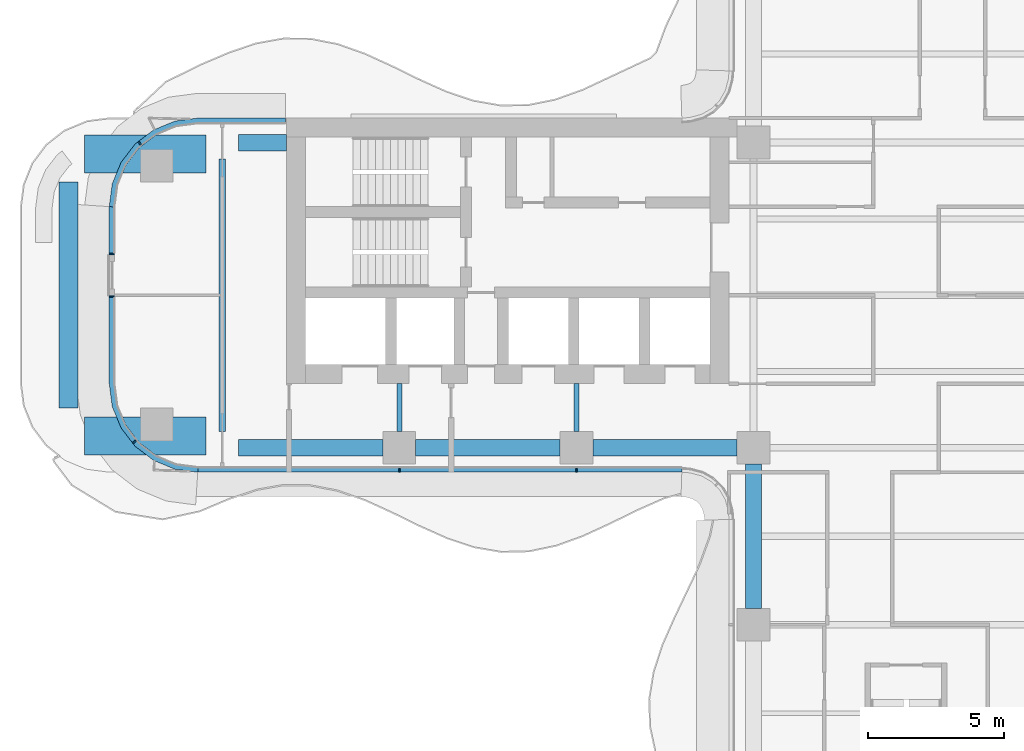
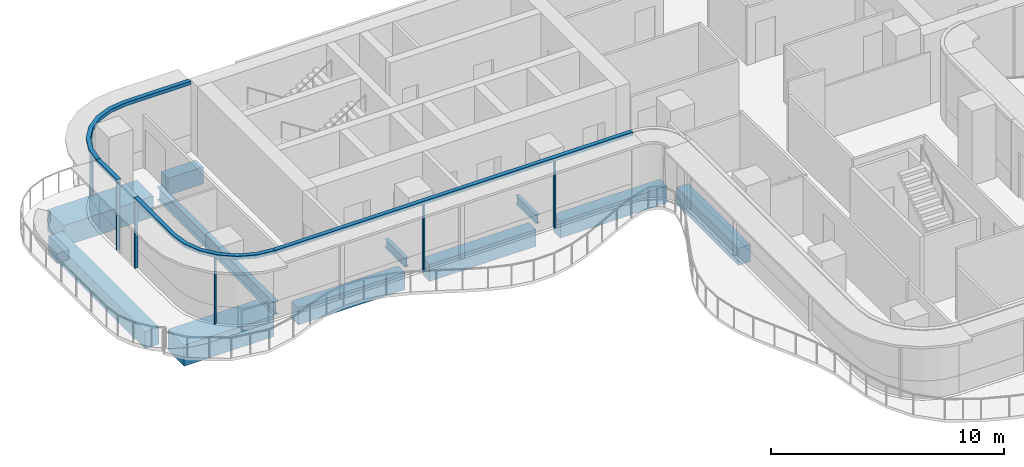
# One storey, part 3 of 17: 11 beams, 10 members, 4 elements without a shape of their own.
"""IFC4 building model written with IfcOpenShell, lengths in metres."""

from ifc_helpers import new_model, si_unit, direction, frame, origin, origin_2d, place, context, subcontext, project, spatial, polyline, rectangle, i_section, outline, extrude, source, transform, mapped, material, layer, layer_set, material_profile, profile_set, type_object, element, aggregate, save


model = new_model("IFC4")

# Units and contexts
model_context = context("Model", 3, precision=1e-05, world=origin(), true_north=direction((0.0, 1.0)))
body_context = subcontext(model_context, "Body", "Model", "MODEL_VIEW")
ifc_project = project(units=[si_unit("LENGTHUNIT", "METRE"), si_unit("AREAUNIT", "SQUARE_METRE"), si_unit("VOLUMEUNIT", "CUBIC_METRE"), si_unit("PLANEANGLEUNIT", "RADIAN"), si_unit("MASSUNIT", "GRAM", prefix="KILO")], contexts=[model_context])

# Site, building, storey
site_placement = place(None, origin())
site = spatial("IfcSite", under=ifc_project, at=site_placement, CompositionType="ELEMENT")
building_placement = place(site_placement, origin())
building = spatial("IfcBuilding", under=site, at=building_placement, Name="Trellis Farm Tower", CompositionType="ELEMENT")
storey_placement = place(building_placement, frame((0.0, 0.0, 162.0)))
storey = spatial("IfcBuildingStorey", under=building, at=storey_placement, Name="L34", CompositionType="ELEMENT", Elevation=162.0)

# Curtain wall, member
ifc_material_1 = material(Name="Aluminium and glass curtain wall", Category="aluminium")
ifc_layer_1 = layer(ifc_material_1, 0.18994140625)
ifc_layer_set_1 = layer_set([ifc_layer_1], Name="RIBBON CURTAIN WALL CW1")
curtain_wall_type = type_object("IfcCurtainWallType", Name="RIBBON CURTAIN WALL CW1", PredefinedType="NOTDEFINED", material=ifc_layer_set_1)
placement_1 = place(storey_placement, origin())
curtain_wall_1 = element("IfcCurtainWall", 1, at=placement_1, inside=storey, type_object=curtain_wall_type, Name="CW1 013", PredefinedType="NOTDEFINED")
ifc_material_2 = material(Name="Aluminium extrusion 6063-T6", Category="aluminium")
ifc_layer_2 = layer(ifc_material_2, 0.199951171875)
ifc_layer_set_2 = layer_set([ifc_layer_2], Name="Aluminium extrusion 6063-T6")
member_type_1 = type_object("IfcMemberType", Name="CW1 TRANSOM 200x180", PredefinedType="USERDEFINED", material=ifc_layer_set_2)
placement_2 = place(storey_placement, frame((0.0, 0.0, 3.52001953125)))
member_1 = element("IfcMember", 2, at=placement_2, type_object=member_type_1, Name="TR1 013", ObjectType="TRANSOM", PredefinedType="USERDEFINED", context=body_context, shape_type="SweptSolid", body=[
    extrude(outline(polyline([(-29.25, 3.25), (-29.25, 1.47998046875), (-29.050048828125, 1.47998046875), (-29.050048828125, 3.23681640625), (-29.25, 3.25)])), origin(), (0.0, 0.0, 1.0), 0.179931640625),
])

curtain_wall_2 = element("IfcCurtainWall", 3, at=placement_1, inside=storey, type_object=curtain_wall_type, Name="CW1 014", PredefinedType="NOTDEFINED")
member_2 = element("IfcMember", 4, at=placement_2, type_object=member_type_1, Name="TR1 014", ObjectType="TRANSOM", PredefinedType="USERDEFINED", context=body_context, shape_type="SweptSolid", body=[
    extrude(outline(polyline([(-29.25, -0.02001953125), (-29.25, -3.25), (-29.13916015625, -4.091064453125), (-28.814697265625, -4.875), (-28.298095703125, -5.548095703125), (-27.625, -6.064697265625), (-26.841064453125, -6.38916015625), (-26.0, -6.5), (-25.98681640625, -6.300048828125), (-26.7890625, -6.1943359375), (-27.524169921875, -5.889892578125), (-28.155517578125, -5.405517578125), (-28.639892578125, -4.774169921875), (-28.9443359375, -4.0390625), (-29.050048828125, -3.23681640625), (-29.050048828125, -0.02001953125), (-29.25, -0.02001953125)])), origin(), (0.0, 0.0, 1.0), 0.179931640625),
])

# Beams
ifc_material_3 = material(Name="Concrete C60/75", Category="concrete")
ifc_material_profile_1 = material_profile(ifc_material_3, rectangle(XDim=0.60009765625, YDim=0.89990234375, at=origin_2d()), Name="RC spandrel beam 600x900 C60/75")
ifc_profile_set_1 = profile_set([ifc_material_profile_1], Name="Concrete C60/75")
beam_type_1 = type_object("IfcBeamType", Name="RC spandrel beam 600x900 C60/75", PredefinedType="SPANDREL", material=ifc_profile_set_1)
beam_1_placement = place(storey_placement, frame((-24.5, 5.60009765625, -0.64990234375), z_axis=(1.0, 0.0, 0.0), x_axis=(0.0, 1.0, 0.0)))
element("IfcBeam", 5, at=beam_1_placement, inside=storey, type_object=beam_type_1, Name="Girder", PredefinedType="SPANDREL", context=body_context, shape_type="SweptSolid", body=[
    extrude(rectangle(XDim=0.60009765625, YDim=0.89990234375, at=origin_2d()), origin(), (0.0, 0.0, 1.0), 1.75),
])
shared_shape_1 = source(origin(), body_context, "Body", "SweptSolid", [
    extrude(rectangle(XDim=0.60009765625, YDim=0.89990234375, at=origin_2d()), origin(), (0.0, 0.0, 1.0), 5.300048828125),
])
for number, where, z_axis, x_axis, name in (
    (6, (-24.5, -5.60009765625, -0.64990234375), (1.0, 0.0, 0.0), (0.0, 1.0, 0.0), "Girder"),
    (7, (-18.0, -5.60009765625, -0.64990234375), (1.0, 0.0, 0.0), (0.0, 1.0, 0.0), "Girder"),
    (8, (-11.5, -5.60009765625, -0.64990234375), (1.0, 0.0, 0.0), (0.0, 1.0, 0.0), "Girder"),
    (9, (-5.60009765625, -11.5, -0.64990234375), (0.0, 1.0, 0.0), (-1.0, 0.0, 0.0), "Girder"),
):
    element("IfcBeam", number, at=place(storey_placement, frame(where, z_axis=z_axis, x_axis=x_axis)), inside=storey, type_object=beam_type_1, Name=name, PredefinedType="SPANDREL", context=body_context, shape_type="MappedRepresentation", body=[
        mapped(shared_shape_1, transform((0.0, 0.0, 0.0))),
    ])
ifc_material_4 = material(Name="Steel S355", Category="steel")
ifc_material_profile_2 = material_profile(ifc_material_4, i_section(OverallWidth=0.253662109375, OverallDepth=0.68359375, WebThickness=0.012451171875, FlangeThickness=0.021728515625, FilletRadius=0.01513671875, at=origin_2d()), Name="UB 686x254x140")
ifc_profile_set_2 = profile_set([ifc_material_profile_2], Name="Steel S355")
beam_type_2 = type_object("IfcBeamType", Name="UB 686x254x140", PredefinedType="BEAM", material=ifc_profile_set_2)
shared_shape_2 = source(origin(), body_context, "Body", "SweptSolid", [
    extrude(i_section(OverallWidth=0.253662109375, OverallDepth=0.68359375, WebThickness=0.012451171875, FlangeThickness=0.021728515625, FilletRadius=0.01513671875, at=origin_2d()), origin(), (0.0, 0.0, 1.0), 10.0),
])
beam_2_placement = place(storey_placement, frame((-25.10009765625, -5.0, -0.541748046875), z_axis=(0.0, 1.0, 0.0), x_axis=(-1.0, 0.0, 0.0)))
element("IfcBeam", 10, at=beam_2_placement, inside=storey, type_object=beam_type_2, Name="Girder", PredefinedType="BEAM", context=body_context, shape_type="MappedRepresentation", body=[
    mapped(shared_shape_2, transform((0.0, 0.0, 0.0))),
])
ifc_material_5 = material(Name="Concrete C80/95", Category="concrete")
ifc_material_profile_3 = material_profile(ifc_material_5, rectangle(XDim=1.39990234375, YDim=1.10009765625, at=origin_2d()), Name="RC transfer beam 1400x1100 C80/95")
ifc_profile_set_3 = profile_set([ifc_material_profile_3], Name="Concrete C80/95")
beam_type_3 = type_object("IfcBeamType", Name="RC transfer beam 1400x1100 C80/95", PredefinedType="BEAM", material=ifc_profile_set_3)
shared_shape_3 = source(origin(), body_context, "Body", "SweptSolid", [
    extrude(rectangle(XDim=1.39990234375, YDim=1.10009765625, at=origin_2d()), origin(), (0.0, 0.0, 1.0), 4.449951171875),
])
for number, where, z_axis, x_axis, name in (
    (11, (-30.14990234375, -5.175048828125, -0.75), (1.0, 0.0, 0.0), (0.0, 1.0, 0.0), "Transfer girder"),
    (12, (-30.14990234375, 5.175048828125, -0.75), (1.0, 0.0, 0.0), (0.0, 1.0, 0.0), "Transfer girder"),
):
    element("IfcBeam", number, at=place(storey_placement, frame(where, z_axis=z_axis, x_axis=x_axis)), inside=storey, type_object=beam_type_3, Name=name, PredefinedType="BEAM", context=body_context, shape_type="MappedRepresentation", body=[
        mapped(shared_shape_3, transform((0.0, 0.0, 0.0))),
    ])
ifc_material_profile_4 = material_profile(ifc_material_3, rectangle(XDim=0.699951171875, YDim=0.89990234375, at=origin_2d()), Name="RC spandrel beam 700x900 C60/75")
ifc_profile_set_4 = profile_set([ifc_material_profile_4], Name="Concrete C60/75")
beam_type_4 = type_object("IfcBeamType", Name="RC spandrel beam 700x900 C60/75", PredefinedType="SPANDREL", material=ifc_profile_set_4)
shared_shape_4 = source(origin(), body_context, "Body", "SweptSolid", [
    extrude(rectangle(XDim=0.699951171875, YDim=0.89990234375, at=origin_2d()), origin(), (0.0, 0.0, 1.0), 8.2998046875),
])
beam_3_placement = place(storey_placement, frame((-30.75, -4.14990234375, -0.64990234375), z_axis=(0.0, 1.0, 0.0), x_axis=(-1.0, 0.0, 0.0)))
element("IfcBeam", 13, at=beam_3_placement, inside=storey, type_object=beam_type_4, Name="Girder", PredefinedType="SPANDREL", context=body_context, shape_type="MappedRepresentation", body=[
    mapped(shared_shape_4, transform((0.0, 0.0, 0.0))),
])
ifc_material_profile_5 = material_profile(ifc_material_4, i_section(OverallWidth=0.1904296875, OverallDepth=0.45703125, WebThickness=0.009033203125, FlangeThickness=0.014404296875, FilletRadius=0.01025390625, at=origin_2d()), Name="UB 457x191x74")
ifc_profile_set_5 = profile_set([ifc_material_profile_5], Name="Steel S355")
beam_type_5 = type_object("IfcBeamType", Name="UB 457x191x74", PredefinedType="BEAM", material=ifc_profile_set_5)
shared_shape_5 = source(origin(), body_context, "Body", "SweptSolid", [
    extrude(i_section(OverallWidth=0.1904296875, OverallDepth=0.45703125, WebThickness=0.009033203125, FlangeThickness=0.014404296875, FilletRadius=0.01025390625, at=origin_2d()), origin(), (0.0, 0.0, 1.0), 1.75),
])
for number, where, z_axis, x_axis, name in (
    (14, (-18.60009765625, -5.0, -0.428466796875), (0.0, 1.0, 0.0), (-1.0, 0.0, 0.0), "Girder"),
    (15, (-12.10009765625, -5.0, -0.428466796875), (0.0, 1.0, 0.0), (-1.0, 0.0, 0.0), "Girder"),
):
    element("IfcBeam", number, at=place(storey_placement, frame(where, z_axis=z_axis, x_axis=x_axis)), inside=storey, type_object=beam_type_5, Name=name, PredefinedType="BEAM", context=body_context, shape_type="MappedRepresentation", body=[
        mapped(shared_shape_5, transform((0.0, 0.0, 0.0))),
    ])

# Curtain wall, members
curtain_wall_3 = element("IfcCurtainWall", 16, at=placement_1, inside=storey, type_object=curtain_wall_type, Name="CW1 001", PredefinedType="NOTDEFINED")
ifc_material_profile_6 = material_profile(ifc_material_2, rectangle(XDim=0.06005859375, YDim=0.14990234375, at=origin_2d()), Name="MULLION 60x150")
ifc_profile_set_6 = profile_set([ifc_material_profile_6], Name="Aluminium extrusion 6063-T6")
member_type_2 = type_object("IfcMemberType", Name="CW1 MULLION 60x150", PredefinedType="MULLION", material=ifc_profile_set_6)
shared_shape_6 = source(origin(), body_context, "Body", "SweptSolid", [
    extrude(rectangle(XDim=0.06005859375, YDim=0.14990234375, at=origin_2d()), origin(), (0.0, 0.0, 1.0), 3.52001953125),
])
member_3_placement = place(storey_placement, frame((-18.60009765625, -6.425048828125, 0.0), z_axis=(0.0, 0.0, 1.0), x_axis=(1.0, 0.0, 0.0)))
member_3 = element("IfcMember", 17, at=member_3_placement, type_object=member_type_2, Name="MU1 001-01", PredefinedType="MULLION", context=body_context, shape_type="MappedRepresentation", body=[
    mapped(shared_shape_6, transform((0.0, 0.0, 0.0))),
])
member_4_placement = place(storey_placement, frame((-12.10009765625, -6.425048828125, 0.0), z_axis=(0.0, 0.0, 1.0), x_axis=(1.0, 0.0, 0.0)))
member_4 = element("IfcMember", 18, at=member_4_placement, type_object=member_type_2, Name="MU1 001-02", PredefinedType="MULLION", context=body_context, shape_type="MappedRepresentation", body=[
    mapped(shared_shape_6, transform((0.0, 0.0, 0.0))),
])

# Curtain wall, member
curtain_wall_4 = element("IfcCurtainWall", 19, at=placement_1, inside=storey, type_object=curtain_wall_type, Name="CW1 012", PredefinedType="NOTDEFINED")
member_5_placement = place(storey_placement, frame((-28.135498046875, 5.578369140625, 0.0), z_axis=(0.0, 0.0, 1.0), x_axis=(-0.793353340291, -0.608761429009, 0.0)))
member_5 = element("IfcMember", 20, at=member_5_placement, type_object=member_type_2, Name="MU1 012-01", PredefinedType="MULLION", context=body_context, shape_type="MappedRepresentation", body=[
    mapped(shared_shape_6, transform((0.0, 0.0, 0.0))),
])

# Member
member_6_placement = place(storey_placement, frame((-29.175048828125, 1.510009765625, 0.0), z_axis=(0.0, 0.0, 1.0), x_axis=(0.0, -1.0, 0.0)))
member_6 = element("IfcMember", 21, at=member_6_placement, type_object=member_type_2, Name="MU1 013-01", PredefinedType="MULLION", context=body_context, shape_type="MappedRepresentation", body=[
    mapped(shared_shape_6, transform((0.0, 0.0, 0.0))),
])

aggregate(curtain_wall_1, [member_6, member_1])

member_7_placement = place(storey_placement, frame((-29.175048828125, -0.050048828125, 0.0), z_axis=(0.0, 0.0, 1.0), x_axis=(0.0, -1.0, 0.0)))
member_7 = element("IfcMember", 22, at=member_7_placement, type_object=member_type_2, Name="MU1 014-01", PredefinedType="MULLION", context=body_context, shape_type="MappedRepresentation", body=[
    mapped(shared_shape_6, transform((0.0, 0.0, 0.0))),
])

member_8_placement = place(storey_placement, frame((-28.328369140625, -5.385498046875, 0.0), z_axis=(0.0, 0.0, 1.0), x_axis=(0.608761429009, -0.793353340291, 0.0)))
member_8 = element("IfcMember", 23, at=member_8_placement, type_object=member_type_2, Name="MU1 014-02", PredefinedType="MULLION", context=body_context, shape_type="MappedRepresentation", body=[
    mapped(shared_shape_6, transform((0.0, 0.0, 0.0))),
])

aggregate(curtain_wall_2, [member_7, member_8, member_2])

shared_shape_7 = source(origin(), body_context, "Body", "SweptSolid", [
    extrude(outline(polyline([(-26.0, -6.5), (-8.2314453125, -6.5), (-8.224853515625, -6.300048828125), (-25.98681640625, -6.300048828125), (-26.0, -6.5)])), origin(), (0.0, 0.0, 1.0), 0.179931640625),
])
member_9 = element("IfcMember", 24, at=placement_2, type_object=member_type_1, Name="TR1 001", ObjectType="TRANSOM", PredefinedType="USERDEFINED", context=body_context, shape_type="MappedRepresentation", body=[
    mapped(shared_shape_7, transform((0.0, 0.0, 0.0))),
])

aggregate(curtain_wall_3, [member_3, member_4, member_9])

shared_shape_8 = source(origin(), body_context, "Body", "SweptSolid", [
    extrude(outline(polyline([(-22.780029296875, 6.5), (-26.0, 6.5), (-26.841064453125, 6.38916015625), (-27.625, 6.064697265625), (-28.298095703125, 5.548095703125), (-28.814697265625, 4.875), (-29.13916015625, 4.091064453125), (-29.25, 3.25), (-29.050048828125, 3.23681640625), (-28.9443359375, 4.0390625), (-28.639892578125, 4.774169921875), (-28.155517578125, 5.405517578125), (-27.524169921875, 5.889892578125), (-26.7890625, 6.1943359375), (-25.98681640625, 6.300048828125), (-22.780029296875, 6.300048828125), (-22.780029296875, 6.5)])), origin(), (0.0, 0.0, 1.0), 0.179931640625),
])
member_10 = element("IfcMember", 25, at=placement_2, type_object=member_type_1, Name="TR1 012", ObjectType="TRANSOM", PredefinedType="USERDEFINED", context=body_context, shape_type="MappedRepresentation", body=[
    mapped(shared_shape_8, transform((0.0, 0.0, 0.0))),
])

aggregate(curtain_wall_4, [member_5, member_10])

save(model, "model.ifc")
